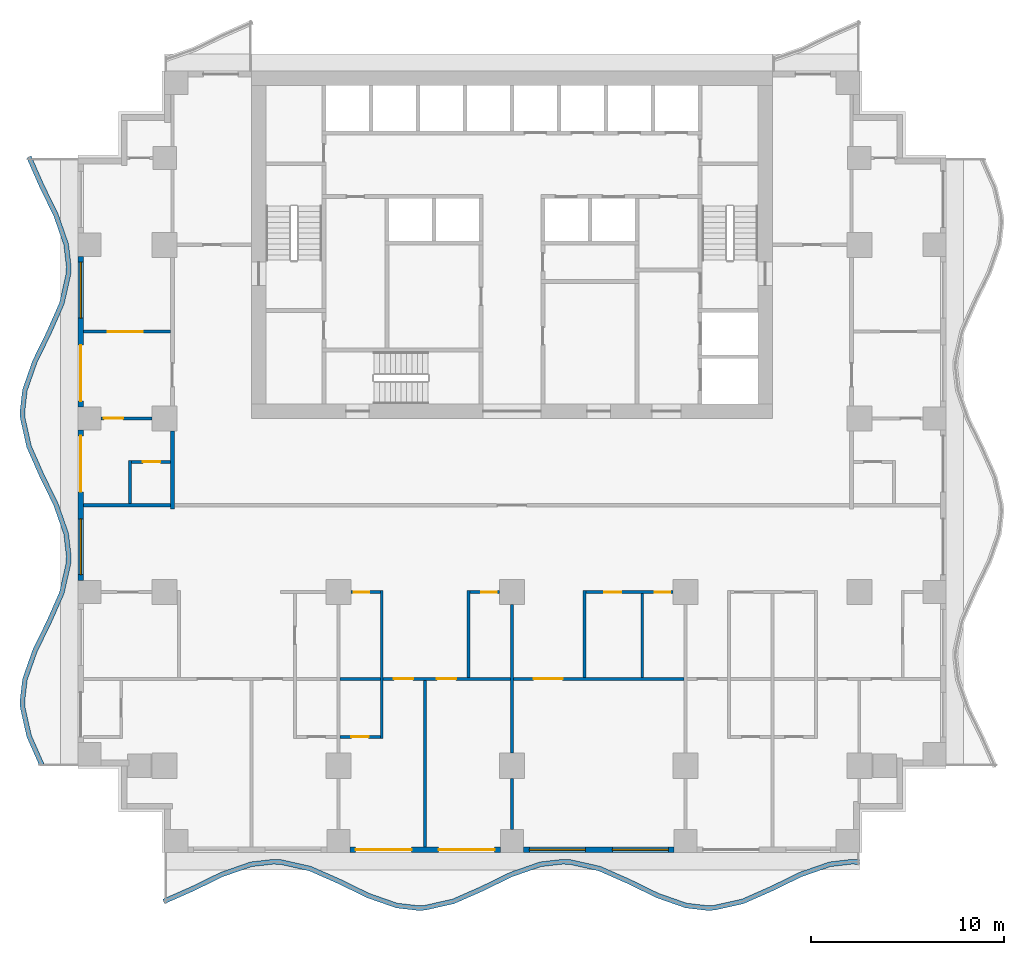
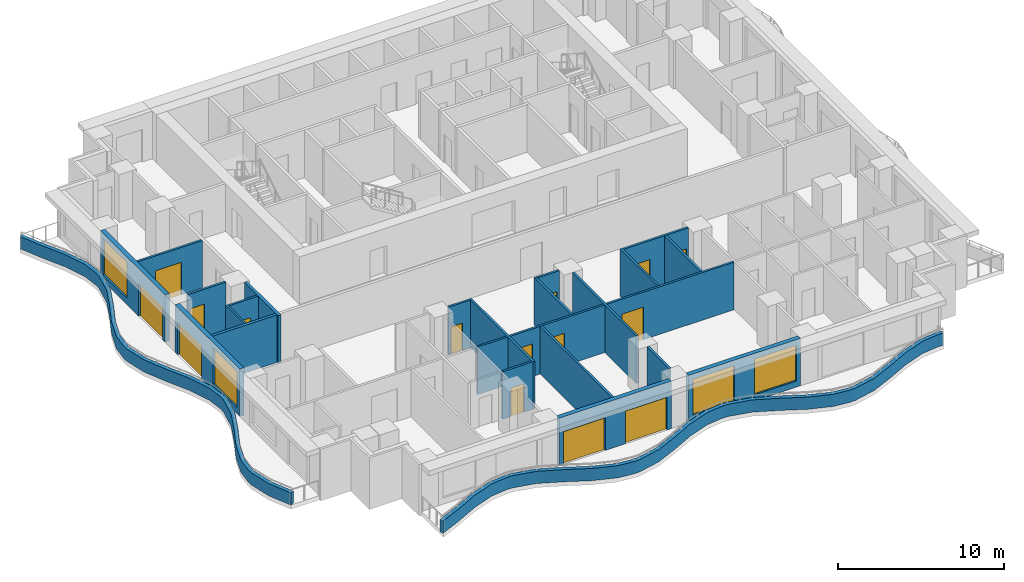
# One storey, part 2 of 10: 26 walls, 15 doors, 4 windows, 19 openings.
"""IFC4 building model written with IfcOpenShell, lengths in metres."""

from ifc_helpers import new_model, si_unit, direction, frame, frame_2d, origin, place, context, subcontext, project, spatial, polyline, rectangle, outline, extrude, material, layer, layer_set, type_object, element, fill, save


model = new_model("IFC4")

# Units and contexts
model_context = context("Model", 3, precision=1e-05, world=origin(), true_north=direction((0.0, 1.0)))
body_context = subcontext(model_context, "Body", "Model", "MODEL_VIEW")
ifc_project = project(units=[si_unit("LENGTHUNIT", "METRE"), si_unit("AREAUNIT", "SQUARE_METRE"), si_unit("VOLUMEUNIT", "CUBIC_METRE"), si_unit("PLANEANGLEUNIT", "RADIAN"), si_unit("MASSUNIT", "GRAM", prefix="KILO")], contexts=[model_context])

# Site, building, storey
site_placement = place(None, origin())
site = spatial("IfcSite", under=ifc_project, at=site_placement, CompositionType="ELEMENT")
building_placement = place(site_placement, origin())
building = spatial("IfcBuilding", under=site, at=building_placement, Name="Orbiselva Terraces", CompositionType="ELEMENT")
storey_placement = place(building_placement, frame((0.0, 0.0, 125.0)))
storey = spatial("IfcBuildingStorey", under=building, at=storey_placement, Name="L31", CompositionType="ELEMENT", Elevation=125.0)

# Walls
ifc_material_1 = material(Name="Concrete C40/50", Category="concrete")
ifc_layer_1 = layer(ifc_material_1, 0.25)
ifc_layer_set_1 = layer_set([ifc_layer_1], Name="Concrete C40/50")
wall_type_1 = type_object("IfcWallType", Name="ENV-PLANTER-250x900", PredefinedType="USERDEFINED", material=ifc_layer_set_1)
wall_1_placement = place(storey_placement, origin())
element("IfcWall", 1, at=wall_1_placement, inside=storey, type_object=wall_type_1, Name="Balcony planter L31 S", ObjectType="PLANTER", PredefinedType="USERDEFINED", context=body_context, shape_type="SweptSolid", body=[
    extrude(outline(polyline([(-18.0, -20.648528), (-16.5, -19.987721), (-15.0, -19.255211), (-13.5, -18.730792), (-12.375, -18.6), (-12.0, -18.614774), (-10.5, -18.951472), (-9.0, -19.612279), (-7.5, -20.344789), (-6.0, -20.869208), (-4.875, -21.0), (-4.5, -20.985226), (-3.0, -20.648528), (-1.5, -19.987721), (0.0, -19.255211), (1.5, -18.730792), (2.625, -18.6), (3.0, -18.614774), (4.5, -18.951472), (6.0, -19.612279), (7.5, -20.344789), (9.0, -20.869208), (10.125, -21.0), (10.5, -20.985226), (12.0, -20.648528), (13.5, -19.987721), (15.0, -19.255211), (16.5, -18.730792), (17.625, -18.6), (18.0, -18.614774), (18.009842, -18.364968), (17.615428, -18.349429), (16.443629, -18.485662), (14.90356, -19.024089), (13.394714, -19.760919), (11.921492, -20.40993), (10.467435, -20.736315), (10.134572, -20.749429), (9.056371, -20.624078), (7.59644, -20.113667), (6.105286, -19.385477), (4.578508, -18.712874), (3.032565, -18.365863), (2.615428, -18.349429), (1.443629, -18.485662), (-0.09644, -19.024089), (-1.605286, -19.760919), (-3.078508, -20.40993), (-4.532565, -20.736315), (-4.865428, -20.749429), (-5.943629, -20.624078), (-7.40356, -20.113667), (-8.894714, -19.385477), (-10.421492, -18.712874), (-11.967435, -18.365863), (-12.384572, -18.349429), (-13.556371, -18.485662), (-15.09644, -19.024089), (-16.605286, -19.760919), (-18.100788, -20.419745), (-18.0, -20.648528)])), origin(), (0.0, 0.0, 1.0), 0.9),
])
wall_2_placement = place(storey_placement, origin())
element("IfcWall", 2, at=wall_2_placement, inside=storey, type_object=wall_type_1, Name="Balcony planter L31 W", ObjectType="PLANTER", PredefinedType="USERDEFINED", context=body_context, shape_type="SweptSolid", body=[
    extrude(outline(polyline([(-25.148528, 18.0), (-24.487721, 16.5), (-23.755211, 15.0), (-23.230792, 13.5), (-23.1, 12.375), (-23.114774, 12.0), (-23.451472, 10.5), (-24.112279, 9.0), (-24.844789, 7.5), (-25.369208, 6.0), (-25.5, 4.875), (-25.485226, 4.5), (-25.148528, 3.0), (-24.487721, 1.5), (-23.755211, 0.0), (-23.230792, -1.5), (-23.1, -2.625), (-23.114774, -3.0), (-23.451472, -4.5), (-24.112279, -6.0), (-24.844789, -7.5), (-25.369208, -9.0), (-25.5, -10.125), (-25.485226, -10.5), (-25.148528, -12.0), (-24.487721, -13.5), (-24.258938, -13.399212), (-24.90993, -11.921492), (-25.236315, -10.467435), (-25.249429, -10.134572), (-25.124078, -9.056371), (-24.613667, -7.59644), (-23.885477, -6.105286), (-23.212874, -4.578508), (-22.865863, -3.032565), (-22.849429, -2.615428), (-22.985662, -1.443629), (-23.524089, 0.09644), (-24.260919, 1.605286), (-24.90993, 3.078508), (-25.236315, 4.532565), (-25.249429, 4.865428), (-25.124078, 5.943629), (-24.613667, 7.40356), (-23.885477, 8.894714), (-23.212874, 10.421492), (-22.865863, 11.967435), (-22.849429, 12.384572), (-22.985662, 13.556371), (-23.524089, 15.09644), (-24.260919, 16.605286), (-24.919745, 18.100788), (-25.148528, 18.0)])), origin(), (0.0, 0.0, 1.0), 0.9),
])

# Wall, openings, doors
ifc_material_2 = material(Name="Terracotta cladding on masonry backing", Category="masonry")
ifc_layer_2 = layer(ifc_material_2, 0.3)
ifc_layer_set_2 = layer_set([ifc_layer_2], Name="Terracotta cladding on masonry backing")
wall_type_2 = type_object("IfcWallType", Name="ENV-WALL-TERRACOTTA-300", PredefinedType="SOLIDWALL", material=ifc_layer_set_2)
wall_3_placement = place(storey_placement, frame((-0.6, -17.85, 0.0), z_axis=(0.0, 0.0, 1.0), x_axis=(-1.0, 0.0, 0.0)))
wall_3 = element("IfcWall", 3, at=wall_3_placement, inside=storey, type_object=wall_type_2, Name="Facade wall L31 S", PredefinedType="SOLIDWALL", context=body_context, shape_type="SweptSolid", body=[
    extrude(rectangle(XDim=7.8, YDim=0.3, at=frame_2d((3.9, 0.0))), origin(), (0.0, 0.0, 1.0), 3.5),
])
opening_1_placement = place(wall_3_placement, frame((4.6, 0.0, 0.0)))
opening_1 = element("IfcOpeningElement", 4, at=opening_1_placement, cuts=wall_3, Name="Opening Z3-A-E01", PredefinedType="OPENING", context=body_context, shape_type="SweptSolid", body=[
    extrude(rectangle(XDim=2.9, YDim=2.4, at=frame_2d((1.45, 1.2))), frame((0.0, 0.16, 0.0), z_axis=(0.0, -1.0, 0.0), x_axis=(1.0, 0.0, 0.0)), (0.0, 0.0, 1.0), 0.32),
])
opening_2_placement = place(wall_3_placement, frame((0.3, 0.0, 0.0)))
opening_2 = element("IfcOpeningElement", 5, at=opening_2_placement, cuts=wall_3, Name="Opening Z3-A-E02", PredefinedType="OPENING", context=body_context, shape_type="SweptSolid", body=[
    extrude(rectangle(XDim=2.9, YDim=2.4, at=frame_2d((1.45, 1.2))), frame((0.0, 0.16, 0.0), z_axis=(0.0, -1.0, 0.0), x_axis=(1.0, 0.0, 0.0)), (0.0, 0.0, 1.0), 0.32),
])
ifc_material_3 = material(Name="Clear low-e glazing in aluminium frame", Category="aluminium")
door_type_1 = type_object("IfcDoorType", Name="BALCONY DOOR 2900 X 2400", OperationType="DOUBLE_DOOR_SLIDING", PredefinedType="DOOR", material=ifc_material_3)
door_1_placement = place(opening_1_placement, origin())
door_1 = element("IfcDoor", 6, at=door_1_placement, inside=storey, type_object=door_type_1, Name="Z3-A-E01", OperationType="SINGLE_SWING_LEFT", OverallHeight=2.4, OverallWidth=2.9, PredefinedType="DOOR", context=body_context, shape_type="SweptSolid", body=[
    extrude(rectangle(XDim=2.9, YDim=2.4, at=frame_2d((1.45, 1.2))), frame((0.0, 0.025, 0.0), z_axis=(0.0, -1.0, 0.0), x_axis=(1.0, 0.0, 0.0)), (0.0, 0.0, 1.0), 0.05),
])
fill(opening_1, door_1)
door_2_placement = place(opening_2_placement, origin())
door_2 = element("IfcDoor", 7, at=door_2_placement, inside=storey, type_object=door_type_1, Name="Z3-A-E02", OperationType="SINGLE_SWING_LEFT", OverallHeight=2.4, OverallWidth=2.9, PredefinedType="DOOR", context=body_context, shape_type="SweptSolid", body=[
    extrude(rectangle(XDim=2.9, YDim=2.4, at=frame_2d((1.45, 1.2))), frame((0.0, 0.025, 0.0), z_axis=(0.0, -1.0, 0.0), x_axis=(1.0, 0.0, 0.0)), (0.0, 0.0, 1.0), 0.05),
])
fill(opening_2, door_2)

# Wall, openings, windows
wall_4_placement = place(storey_placement, frame((8.4, -17.85, 0.0), z_axis=(0.0, 0.0, 1.0), x_axis=(-1.0, 0.0, 0.0)))
wall_4 = element("IfcWall", 8, at=wall_4_placement, inside=storey, type_object=wall_type_2, Name="Facade wall L31 S", PredefinedType="SOLIDWALL", context=body_context, shape_type="SweptSolid", body=[
    extrude(rectangle(XDim=7.8, YDim=0.3, at=frame_2d((3.9, 0.0))), origin(), (0.0, 0.0, 1.0), 3.5),
])
opening_3_placement = place(wall_4_placement, frame((4.6, 0.0, 0.45)))
opening_3 = element("IfcOpeningElement", 9, at=opening_3_placement, cuts=wall_4, Name="Opening WN8", PredefinedType="OPENING", context=body_context, shape_type="SweptSolid", body=[
    extrude(rectangle(XDim=2.9, YDim=2.65, at=frame_2d((1.45, 1.325))), frame((0.0, 0.16, 0.0), z_axis=(0.0, -1.0, 0.0), x_axis=(1.0, 0.0, 0.0)), (0.0, 0.0, 1.0), 0.32),
])
opening_4_placement = place(wall_4_placement, frame((0.3, 0.0, 0.45)))
opening_4 = element("IfcOpeningElement", 10, at=opening_4_placement, cuts=wall_4, Name="Opening WN8", PredefinedType="OPENING", context=body_context, shape_type="SweptSolid", body=[
    extrude(rectangle(XDim=2.9, YDim=2.65, at=frame_2d((1.45, 1.325))), frame((0.0, 0.16, 0.0), z_axis=(0.0, -1.0, 0.0), x_axis=(1.0, 0.0, 0.0)), (0.0, 0.0, 1.0), 0.32),
])
window_type = type_object("IfcWindowType", Name="WINDOW 2900 X 2650 S450", PartitioningType="TRIPLE_PANEL_VERTICAL", PredefinedType="WINDOW", material=ifc_material_3)
window_1_placement = place(opening_3_placement, origin())
window_1 = element("IfcWindow", 11, at=window_1_placement, inside=storey, type_object=window_type, Name="Window L31 S", OverallHeight=2.65, OverallWidth=2.9, PartitioningType="SINGLE_PANEL", PredefinedType="WINDOW", context=body_context, shape_type="SweptSolid", body=[
    extrude(rectangle(XDim=2.9, YDim=2.65, at=frame_2d((1.45, 1.325))), frame((0.0, 0.03, 0.0), z_axis=(0.0, -1.0, 0.0), x_axis=(1.0, 0.0, 0.0)), (0.0, 0.0, 1.0), 0.06),
])
fill(opening_3, window_1)
window_2_placement = place(opening_4_placement, origin())
window_2 = element("IfcWindow", 12, at=window_2_placement, inside=storey, type_object=window_type, Name="Window L31 S", OverallHeight=2.65, OverallWidth=2.9, PartitioningType="SINGLE_PANEL", PredefinedType="WINDOW", context=body_context, shape_type="SweptSolid", body=[
    extrude(rectangle(XDim=2.9, YDim=2.65, at=frame_2d((1.45, 1.325))), frame((0.0, 0.03, 0.0), z_axis=(0.0, -1.0, 0.0), x_axis=(1.0, 0.0, 0.0)), (0.0, 0.0, 1.0), 0.06),
])
fill(opening_4, window_2)

# Wall, openings, door, window
wall_5_placement = place(storey_placement, frame((-22.35, 5.1, 0.0), z_axis=(0.0, 0.0, 1.0), x_axis=(0.0, 1.0, 0.0)))
wall_5 = element("IfcWall", 13, at=wall_5_placement, inside=storey, type_object=wall_type_2, Name="Facade wall L31 W", PredefinedType="SOLIDWALL", context=body_context, shape_type="SweptSolid", body=[
    extrude(rectangle(XDim=7.8, YDim=0.3, at=frame_2d((3.9, 0.0))), origin(), (0.0, 0.0, 1.0), 3.5),
])
opening_5_placement = place(wall_5_placement, frame((4.6, 0.0, 0.45)))
opening_5 = element("IfcOpeningElement", 14, at=opening_5_placement, cuts=wall_5, Name="Opening WN8", PredefinedType="OPENING", context=body_context, shape_type="SweptSolid", body=[
    extrude(rectangle(XDim=2.9, YDim=2.65, at=frame_2d((1.45, 1.325))), frame((0.0, 0.16, 0.0), z_axis=(0.0, -1.0, 0.0), x_axis=(1.0, 0.0, 0.0)), (0.0, 0.0, 1.0), 0.32),
])
opening_6_placement = place(wall_5_placement, frame((0.3, 0.0, 0.0)))
opening_6 = element("IfcOpeningElement", 15, at=opening_6_placement, cuts=wall_5, Name="Opening Z3-A-E09", PredefinedType="OPENING", context=body_context, shape_type="SweptSolid", body=[
    extrude(rectangle(XDim=2.9, YDim=2.4, at=frame_2d((1.45, 1.2))), frame((0.0, 0.16, 0.0), z_axis=(0.0, -1.0, 0.0), x_axis=(1.0, 0.0, 0.0)), (0.0, 0.0, 1.0), 0.32),
])
door_3_placement = place(opening_6_placement, origin())
door_3 = element("IfcDoor", 16, at=door_3_placement, inside=storey, type_object=door_type_1, Name="Z3-A-E09", OperationType="SINGLE_SWING_LEFT", OverallHeight=2.4, OverallWidth=2.9, PredefinedType="DOOR", context=body_context, shape_type="SweptSolid", body=[
    extrude(rectangle(XDim=2.9, YDim=2.4, at=frame_2d((1.45, 1.2))), frame((0.0, 0.025, 0.0), z_axis=(0.0, -1.0, 0.0), x_axis=(1.0, 0.0, 0.0)), (0.0, 0.0, 1.0), 0.05),
])
fill(opening_6, door_3)
window_3_placement = place(opening_5_placement, origin())
window_3 = element("IfcWindow", 17, at=window_3_placement, inside=storey, type_object=window_type, Name="Window L31 W", OverallHeight=2.65, OverallWidth=2.9, PartitioningType="SINGLE_PANEL", PredefinedType="WINDOW", context=body_context, shape_type="SweptSolid", body=[
    extrude(rectangle(XDim=2.9, YDim=2.65, at=frame_2d((1.45, 1.325))), frame((0.0, 0.03, 0.0), z_axis=(0.0, -1.0, 0.0), x_axis=(1.0, 0.0, 0.0)), (0.0, 0.0, 1.0), 0.06),
])
fill(opening_5, window_3)

wall_6_placement = place(storey_placement, frame((-22.35, -3.9, 0.0), z_axis=(0.0, 0.0, 1.0), x_axis=(0.0, 1.0, 0.0)))
wall_6 = element("IfcWall", 18, at=wall_6_placement, inside=storey, type_object=wall_type_2, Name="Facade wall L31 W", PredefinedType="SOLIDWALL", context=body_context, shape_type="SweptSolid", body=[
    extrude(rectangle(XDim=7.8, YDim=0.3, at=frame_2d((3.9, 0.0))), origin(), (0.0, 0.0, 1.0), 3.5),
])
opening_7_placement = place(wall_6_placement, frame((4.6, 0.0, 0.0)))
opening_7 = element("IfcOpeningElement", 19, at=opening_7_placement, cuts=wall_6, Name="Opening Z3-A-E10", PredefinedType="OPENING", context=body_context, shape_type="SweptSolid", body=[
    extrude(rectangle(XDim=2.9, YDim=2.4, at=frame_2d((1.45, 1.2))), frame((0.0, 0.16, 0.0), z_axis=(0.0, -1.0, 0.0), x_axis=(1.0, 0.0, 0.0)), (0.0, 0.0, 1.0), 0.32),
])
opening_8_placement = place(wall_6_placement, frame((0.3, 0.0, 0.45)))
opening_8 = element("IfcOpeningElement", 20, at=opening_8_placement, cuts=wall_6, Name="Opening WN8", PredefinedType="OPENING", context=body_context, shape_type="SweptSolid", body=[
    extrude(rectangle(XDim=2.9, YDim=2.65, at=frame_2d((1.45, 1.325))), frame((0.0, 0.16, 0.0), z_axis=(0.0, -1.0, 0.0), x_axis=(1.0, 0.0, 0.0)), (0.0, 0.0, 1.0), 0.32),
])
door_4_placement = place(opening_7_placement, origin())
door_4 = element("IfcDoor", 21, at=door_4_placement, inside=storey, type_object=door_type_1, Name="Z3-A-E10", OperationType="SINGLE_SWING_LEFT", OverallHeight=2.4, OverallWidth=2.9, PredefinedType="DOOR", context=body_context, shape_type="SweptSolid", body=[
    extrude(rectangle(XDim=2.9, YDim=2.4, at=frame_2d((1.45, 1.2))), frame((0.0, 0.025, 0.0), z_axis=(0.0, -1.0, 0.0), x_axis=(1.0, 0.0, 0.0)), (0.0, 0.0, 1.0), 0.05),
])
fill(opening_7, door_4)
window_4_placement = place(opening_8_placement, origin())
window_4 = element("IfcWindow", 22, at=window_4_placement, inside=storey, type_object=window_type, Name="Window L31 W", OverallHeight=2.65, OverallWidth=2.9, PartitioningType="SINGLE_PANEL", PredefinedType="WINDOW", context=body_context, shape_type="SweptSolid", body=[
    extrude(rectangle(XDim=2.9, YDim=2.65, at=frame_2d((1.45, 1.325))), frame((0.0, 0.03, 0.0), z_axis=(0.0, -1.0, 0.0), x_axis=(1.0, 0.0, 0.0)), (0.0, 0.0, 1.0), 0.06),
])
fill(opening_8, window_4)

# Wall
ifc_material_4 = material(Name="Plasterboard on steel stud partition", Category="steel")
ifc_layer_3 = layer(ifc_material_4, 0.2)
ifc_layer_set_3 = layer_set([ifc_layer_3], Name="Plasterboard on steel stud partition")
wall_type_3 = type_object("IfcWallType", Name="UNIT-ENTRANCE-WALL-200", PredefinedType="PARTITIONING", material=ifc_layer_set_3)
wall_7_placement = place(storey_placement, frame((-17.6, -0.2, 0.0), z_axis=(0.0, 0.0, 1.0), x_axis=(0.0, 1.0, 0.0)))
element("IfcWall", 23, at=wall_7_placement, inside=storey, type_object=wall_type_3, Name="PARTITION L31-037", PredefinedType="PARTITIONING", context=body_context, shape_type="SweptSolid", body=[
    extrude(rectangle(XDim=4.05, YDim=0.2, at=frame_2d((2.025, 0.0))), origin(), (0.0, 0.0, 1.0), 3.5),
])

# Wall, opening, door
ifc_layer_4 = layer(ifc_material_4, 0.15)
ifc_layer_set_4 = layer_set([ifc_layer_4], Name="Plasterboard on steel stud partition")
wall_type_4 = type_object("IfcWallType", Name="UNIT-PARTITION-150", PredefinedType="PARTITIONING", material=ifc_layer_set_4)
wall_8_placement = place(storey_placement, frame((-8.925, -12.0, 0.0), z_axis=(0.0, 0.0, 1.0), x_axis=(1.0, 0.0, 0.0)))
wall_8 = element("IfcWall", 24, at=wall_8_placement, inside=storey, type_object=wall_type_4, Name="PARTITION L31-003", PredefinedType="PARTITIONING", context=body_context, shape_type="SweptSolid", body=[
    extrude(rectangle(XDim=2.1, YDim=0.15, at=frame_2d((1.05, 0.0))), origin(), (0.0, 0.0, 1.0), 3.5),
])
opening_9_placement = place(wall_8_placement, frame((0.6, 0.0, 0.0)))
opening_9 = element("IfcOpeningElement", 25, at=opening_9_placement, cuts=wall_8, Name="Opening Z3-A-28", PredefinedType="OPENING", context=body_context, shape_type="SweptSolid", body=[
    extrude(rectangle(XDim=0.9, YDim=2.1, at=frame_2d((0.45, 1.05))), frame((0.0, 0.085, 0.0), z_axis=(0.0, -1.0, 0.0), x_axis=(1.0, 0.0, 0.0)), (0.0, 0.0, 1.0), 0.17),
])
ifc_material_5 = material(Name="Painted timber door leaf", Category="wood")
door_type_2 = type_object("IfcDoorType", Name="BATH DOOR 900", OperationType="NOTDEFINED", PredefinedType="DOOR", material=ifc_material_5)
door_5_placement = place(opening_9_placement, origin())
door_5 = element("IfcDoor", 26, at=door_5_placement, inside=storey, type_object=door_type_2, Name="Z3-A-28", OperationType="SINGLE_SWING_LEFT", OverallHeight=2.1, OverallWidth=0.9, PredefinedType="DOOR", context=body_context, shape_type="SweptSolid", body=[
    extrude(rectangle(XDim=0.9, YDim=2.1, at=frame_2d((0.45, 1.05))), frame((0.0, 0.025, 0.0), z_axis=(0.0, -1.0, 0.0), x_axis=(1.0, 0.0, 0.0)), (0.0, 0.0, 1.0), 0.05),
])
fill(opening_9, door_5)

# Wall
wall_9_placement = place(storey_placement, frame((-8.925, -9.0, 0.0), z_axis=(0.0, 0.0, 1.0), x_axis=(1.0, 0.0, 0.0)))
element("IfcWall", 27, at=wall_9_placement, inside=storey, type_object=wall_type_4, Name="PARTITION L31-008", PredefinedType="PARTITIONING", context=body_context, shape_type="SweptSolid", body=[
    extrude(rectangle(XDim=2.1, YDim=0.15, at=frame_2d((1.05, 0.0))), origin(), (0.0, 0.0, 1.0), 3.5),
])

# Wall, openings, doors
wall_10_placement = place(storey_placement, frame((-0.075, -9.0, 0.0), z_axis=(0.0, 0.0, 1.0), x_axis=(-1.0, 0.0, 0.0)))
wall_10 = element("IfcWall", 28, at=wall_10_placement, inside=storey, type_object=wall_type_4, Name="PARTITION L31-009", PredefinedType="PARTITIONING", context=body_context, shape_type="SweptSolid", body=[
    extrude(rectangle(XDim=6.6, YDim=0.15, at=frame_2d((3.3, 0.0))), origin(), (0.0, 0.0, 1.0), 3.5),
])
opening_10_placement = place(wall_10_placement, frame((5.05, 0.0, 0.0)))
opening_10 = element("IfcOpeningElement", 29, at=opening_10_placement, cuts=wall_10, Name="Opening Z3-A-27", PredefinedType="OPENING", context=body_context, shape_type="SweptSolid", body=[
    extrude(rectangle(XDim=1.0, YDim=2.4, at=frame_2d((0.5, 1.2))), frame((0.0, 0.085, 0.0), z_axis=(0.0, -1.0, 0.0), x_axis=(1.0, 0.0, 0.0)), (0.0, 0.0, 1.0), 0.17),
])
opening_11_placement = place(wall_10_placement, frame((2.825, 0.0, 0.0)))
opening_11 = element("IfcOpeningElement", 30, at=opening_11_placement, cuts=wall_10, Name="Opening Z3-A-29", PredefinedType="OPENING", context=body_context, shape_type="SweptSolid", body=[
    extrude(rectangle(XDim=1.0, YDim=2.4, at=frame_2d((0.5, 1.2))), frame((0.0, 0.085, 0.0), z_axis=(0.0, -1.0, 0.0), x_axis=(1.0, 0.0, 0.0)), (0.0, 0.0, 1.0), 0.17),
])
door_type_3 = type_object("IfcDoorType", Name="ROOM DOOR 1000", OperationType="NOTDEFINED", PredefinedType="DOOR", material=ifc_material_5)
door_6_placement = place(opening_10_placement, origin())
door_6 = element("IfcDoor", 31, at=door_6_placement, inside=storey, type_object=door_type_3, Name="Z3-A-27", OperationType="SINGLE_SWING_RIGHT", OverallHeight=2.4, OverallWidth=1.0, PredefinedType="DOOR", context=body_context, shape_type="SweptSolid", body=[
    extrude(rectangle(XDim=1.0, YDim=2.4, at=frame_2d((0.5, 1.2))), frame((0.0, 0.025, 0.0), z_axis=(0.0, -1.0, 0.0), x_axis=(1.0, 0.0, 0.0)), (0.0, 0.0, 1.0), 0.05),
])
fill(opening_10, door_6)
door_7_placement = place(opening_11_placement, origin())
door_7 = element("IfcDoor", 32, at=door_7_placement, inside=storey, type_object=door_type_3, Name="Z3-A-29", OperationType="SINGLE_SWING_RIGHT", OverallHeight=2.4, OverallWidth=1.0, PredefinedType="DOOR", context=body_context, shape_type="SweptSolid", body=[
    extrude(rectangle(XDim=1.0, YDim=2.4, at=frame_2d((0.5, 1.2))), frame((0.0, 0.025, 0.0), z_axis=(0.0, -1.0, 0.0), x_axis=(1.0, 0.0, 0.0)), (0.0, 0.0, 1.0), 0.05),
])
fill(opening_11, door_7)

# Wall, opening, door
wall_11_placement = place(storey_placement, frame((8.925, -9.0, 0.0), z_axis=(0.0, 0.0, 1.0), x_axis=(-1.0, 0.0, 0.0)))
wall_11 = element("IfcWall", 33, at=wall_11_placement, inside=storey, type_object=wall_type_4, Name="PARTITION L31-010", PredefinedType="PARTITIONING", context=body_context, shape_type="SweptSolid", body=[
    extrude(rectangle(XDim=8.85, YDim=0.15, at=frame_2d((4.425, 0.0))), origin(), (0.0, 0.0, 1.0), 3.5),
])
opening_12_placement = place(wall_11_placement, frame((6.3, 0.0, 0.0)))
opening_12 = element("IfcOpeningElement", 34, at=opening_12_placement, cuts=wall_11, Name="Opening Z3-A-30", PredefinedType="OPENING", context=body_context, shape_type="SweptSolid", body=[
    extrude(rectangle(XDim=1.5, YDim=2.4, at=frame_2d((0.75, 1.2))), frame((0.0, 0.085, 0.0), z_axis=(0.0, -1.0, 0.0), x_axis=(1.0, 0.0, 0.0)), (0.0, 0.0, 1.0), 0.17),
])
door_type_4 = type_object("IfcDoorType", Name="DOUBLE DOOR 1500", OperationType="NOTDEFINED", PredefinedType="DOOR", material=ifc_material_5)
door_8_placement = place(opening_12_placement, origin())
door_8 = element("IfcDoor", 35, at=door_8_placement, inside=storey, type_object=door_type_4, Name="Z3-A-30", OperationType="DOUBLE_DOOR_SINGLE_SWING", OverallHeight=2.4, OverallWidth=1.5, PredefinedType="DOOR", context=body_context, shape_type="SweptSolid", body=[
    extrude(rectangle(XDim=1.5, YDim=2.4, at=frame_2d((0.75, 1.2))), frame((0.0, 0.025, 0.0), z_axis=(0.0, -1.0, 0.0), x_axis=(1.0, 0.0, 0.0)), (0.0, 0.0, 1.0), 0.05),
])
fill(opening_12, door_8)

wall_12_placement = place(storey_placement, frame((-6.825, -4.5, 0.0), z_axis=(0.0, 0.0, 1.0), x_axis=(-1.0, 0.0, 0.0)))
wall_12 = element("IfcWall", 36, at=wall_12_placement, inside=storey, type_object=wall_type_4, Name="PARTITION L31-017", PredefinedType="PARTITIONING", context=body_context, shape_type="SweptSolid", body=[
    extrude(rectangle(XDim=1.525, YDim=0.15, at=frame_2d((0.7625, 0.0))), origin(), (0.0, 0.0, 1.0), 3.5),
])
opening_13_placement = place(wall_12_placement, frame((0.575, 0.0, 0.0)))
opening_13 = element("IfcOpeningElement", 37, at=opening_13_placement, cuts=wall_12, Name="Opening Z3-A-16", PredefinedType="OPENING", context=body_context, shape_type="SweptSolid", body=[
    extrude(rectangle(XDim=0.8, YDim=2.0, at=frame_2d((0.4, 1.0))), frame((0.0, 0.085, 0.0), z_axis=(0.0, -1.0, 0.0), x_axis=(1.0, 0.0, 0.0)), (0.0, 0.0, 1.0), 0.17),
])
door_type_5 = type_object("IfcDoorType", Name="STORE DOOR 800", OperationType="NOTDEFINED", PredefinedType="DOOR", material=ifc_material_5)
door_9_placement = place(opening_13_placement, origin())
door_9 = element("IfcDoor", 38, at=door_9_placement, inside=storey, type_object=door_type_5, Name="Z3-A-16", OperationType="SINGLE_SWING_RIGHT", OverallHeight=2.0, OverallWidth=0.8, PredefinedType="DOOR", context=body_context, shape_type="SweptSolid", body=[
    extrude(rectangle(XDim=0.8, YDim=2.0, at=frame_2d((0.4, 1.0))), frame((0.0, 0.025, 0.0), z_axis=(0.0, -1.0, 0.0), x_axis=(1.0, 0.0, 0.0)), (0.0, 0.0, 1.0), 0.05),
])
fill(opening_13, door_9)

wall_13_placement = place(storey_placement, frame((-0.65, -4.5, 0.0), z_axis=(0.0, 0.0, 1.0), x_axis=(-1.0, 0.0, 0.0)))
wall_13 = element("IfcWall", 39, at=wall_13_placement, inside=storey, type_object=wall_type_4, Name="PARTITION L31-018", PredefinedType="PARTITIONING", context=body_context, shape_type="SweptSolid", body=[
    extrude(rectangle(XDim=1.525, YDim=0.15, at=frame_2d((0.7625, 0.0))), origin(), (0.0, 0.0, 1.0), 3.5),
])
opening_14_placement = place(wall_13_placement, frame((0.15, 0.0, 0.0)))
opening_14 = element("IfcOpeningElement", 40, at=opening_14_placement, cuts=wall_13, Name="Opening Z3-A-17", PredefinedType="OPENING", context=body_context, shape_type="SweptSolid", body=[
    extrude(rectangle(XDim=0.8, YDim=2.0, at=frame_2d((0.4, 1.0))), frame((0.0, 0.085, 0.0), z_axis=(0.0, -1.0, 0.0), x_axis=(1.0, 0.0, 0.0)), (0.0, 0.0, 1.0), 0.17),
])
door_10_placement = place(opening_14_placement, origin())
door_10 = element("IfcDoor", 41, at=door_10_placement, inside=storey, type_object=door_type_5, Name="Z3-A-17", OperationType="SINGLE_SWING_LEFT", OverallHeight=2.0, OverallWidth=0.8, PredefinedType="DOOR", context=body_context, shape_type="SweptSolid", body=[
    extrude(rectangle(XDim=0.8, YDim=2.0, at=frame_2d((0.4, 1.0))), frame((0.0, 0.025, 0.0), z_axis=(0.0, -1.0, 0.0), x_axis=(1.0, 0.0, 0.0)), (0.0, 0.0, 1.0), 0.05),
])
fill(opening_14, door_10)

# Wall, openings, doors
wall_14_placement = place(storey_placement, frame((8.35, -4.5, 0.0), z_axis=(0.0, 0.0, 1.0), x_axis=(-1.0, 0.0, 0.0)))
wall_14 = element("IfcWall", 42, at=wall_14_placement, inside=storey, type_object=wall_type_4, Name="PARTITION L31-019", PredefinedType="PARTITIONING", context=body_context, shape_type="SweptSolid", body=[
    extrude(rectangle(XDim=4.525, YDim=0.15, at=frame_2d((2.2625, 0.0))), origin(), (0.0, 0.0, 1.0), 3.5),
])
opening_15_placement = place(wall_14_placement, frame((2.675, 0.0, 0.0)))
opening_15 = element("IfcOpeningElement", 43, at=opening_15_placement, cuts=wall_14, Name="Opening Z3-A-18", PredefinedType="OPENING", context=body_context, shape_type="SweptSolid", body=[
    extrude(rectangle(XDim=0.9, YDim=2.1, at=frame_2d((0.45, 1.05))), frame((0.0, 0.085, 0.0), z_axis=(0.0, -1.0, 0.0), x_axis=(1.0, 0.0, 0.0)), (0.0, 0.0, 1.0), 0.17),
])
opening_16_placement = place(wall_14_placement, frame((0.15, 0.0, 0.0)))
opening_16 = element("IfcOpeningElement", 44, at=opening_16_placement, cuts=wall_14, Name="Opening Z3-A-19", PredefinedType="OPENING", context=body_context, shape_type="SweptSolid", body=[
    extrude(rectangle(XDim=0.8, YDim=2.0, at=frame_2d((0.4, 1.0))), frame((0.0, 0.085, 0.0), z_axis=(0.0, -1.0, 0.0), x_axis=(1.0, 0.0, 0.0)), (0.0, 0.0, 1.0), 0.17),
])
door_type_6 = type_object("IfcDoorType", Name="SERVICE DOOR 900", OperationType="NOTDEFINED", PredefinedType="DOOR", material=ifc_material_5)
door_11_placement = place(opening_15_placement, origin())
door_11 = element("IfcDoor", 45, at=door_11_placement, inside=storey, type_object=door_type_6, Name="Z3-A-18", OperationType="SINGLE_SWING_RIGHT", OverallHeight=2.1, OverallWidth=0.9, PredefinedType="DOOR", context=body_context, shape_type="SweptSolid", body=[
    extrude(rectangle(XDim=0.9, YDim=2.1, at=frame_2d((0.45, 1.05))), frame((0.0, 0.025, 0.0), z_axis=(0.0, -1.0, 0.0), x_axis=(1.0, 0.0, 0.0)), (0.0, 0.0, 1.0), 0.05),
])
fill(opening_15, door_11)
door_12_placement = place(opening_16_placement, origin())
door_12 = element("IfcDoor", 46, at=door_12_placement, inside=storey, type_object=door_type_5, Name="Z3-A-19", OperationType="SINGLE_SWING_LEFT", OverallHeight=2.0, OverallWidth=0.8, PredefinedType="DOOR", context=body_context, shape_type="SweptSolid", body=[
    extrude(rectangle(XDim=0.8, YDim=2.0, at=frame_2d((0.4, 1.0))), frame((0.0, 0.025, 0.0), z_axis=(0.0, -1.0, 0.0), x_axis=(1.0, 0.0, 0.0)), (0.0, 0.0, 1.0), 0.05),
])
fill(opening_16, door_12)

# Wall, opening, door
wall_15_placement = place(storey_placement, frame((-17.7, 2.25, 0.0), z_axis=(0.0, 0.0, 1.0), x_axis=(-1.0, 0.0, 0.0)))
wall_15 = element("IfcWall", 47, at=wall_15_placement, inside=storey, type_object=wall_type_4, Name="PARTITION L31-025", PredefinedType="PARTITIONING", context=body_context, shape_type="SweptSolid", body=[
    extrude(rectangle(XDim=2.03, YDim=0.15, at=frame_2d((1.015, 0.0))), origin(), (0.0, 0.0, 1.0), 3.5),
])
opening_17_placement = place(wall_15_placement, frame((0.53, 0.0, 0.0)))
opening_17 = element("IfcOpeningElement", 48, at=opening_17_placement, cuts=wall_15, Name="Opening Z3-A-04", PredefinedType="OPENING", context=body_context, shape_type="SweptSolid", body=[
    extrude(rectangle(XDim=0.9, YDim=2.1, at=frame_2d((0.45, 1.05))), frame((0.0, 0.085, 0.0), z_axis=(0.0, -1.0, 0.0), x_axis=(1.0, 0.0, 0.0)), (0.0, 0.0, 1.0), 0.17),
])
door_13_placement = place(opening_17_placement, origin())
door_13 = element("IfcDoor", 49, at=door_13_placement, inside=storey, type_object=door_type_2, Name="Z3-A-04", OperationType="SINGLE_SWING_LEFT", OverallHeight=2.1, OverallWidth=0.9, PredefinedType="DOOR", context=body_context, shape_type="SweptSolid", body=[
    extrude(rectangle(XDim=0.9, YDim=2.1, at=frame_2d((0.45, 1.05))), frame((0.0, 0.025, 0.0), z_axis=(0.0, -1.0, 0.0), x_axis=(1.0, 0.0, 0.0)), (0.0, 0.0, 1.0), 0.05),
])
fill(opening_17, door_13)

wall_16_placement = place(storey_placement, frame((-18.65, 4.5, 0.0), z_axis=(0.0, 0.0, 1.0), x_axis=(-1.0, 0.0, 0.0)))
wall_16 = element("IfcWall", 50, at=wall_16_placement, inside=storey, type_object=wall_type_4, Name="PARTITION L31-027", PredefinedType="PARTITIONING", context=body_context, shape_type="SweptSolid", body=[
    extrude(rectangle(XDim=2.65, YDim=0.15, at=frame_2d((1.325, 0.0))), origin(), (0.0, 0.0, 1.0), 3.5),
])
opening_18_placement = place(wall_16_placement, frame((1.5, 0.0, 0.0)))
opening_18 = element("IfcOpeningElement", 51, at=opening_18_placement, cuts=wall_16, Name="Opening Z3-A-03", PredefinedType="OPENING", context=body_context, shape_type="SweptSolid", body=[
    extrude(rectangle(XDim=1.0, YDim=2.4, at=frame_2d((0.5, 1.2))), frame((0.0, 0.085, 0.0), z_axis=(0.0, -1.0, 0.0), x_axis=(1.0, 0.0, 0.0)), (0.0, 0.0, 1.0), 0.17),
])
door_14_placement = place(opening_18_placement, origin())
door_14 = element("IfcDoor", 52, at=door_14_placement, inside=storey, type_object=door_type_3, Name="Z3-A-03", OperationType="SINGLE_SWING_RIGHT", OverallHeight=2.4, OverallWidth=1.0, PredefinedType="DOOR", context=body_context, shape_type="SweptSolid", body=[
    extrude(rectangle(XDim=1.0, YDim=2.4, at=frame_2d((0.5, 1.2))), frame((0.0, 0.025, 0.0), z_axis=(0.0, -1.0, 0.0), x_axis=(1.0, 0.0, 0.0)), (0.0, 0.0, 1.0), 0.05),
])
fill(opening_18, door_14)

wall_17_placement = place(storey_placement, frame((-22.2, 9.0, 0.0), z_axis=(0.0, 0.0, 1.0), x_axis=(1.0, 0.0, 0.0)))
wall_17 = element("IfcWall", 53, at=wall_17_placement, inside=storey, type_object=wall_type_4, Name="PARTITION L31-029", PredefinedType="PARTITIONING", context=body_context, shape_type="SweptSolid", body=[
    extrude(rectangle(XDim=4.5, YDim=0.15, at=frame_2d((2.25, 0.0))), origin(), (0.0, 0.0, 1.0), 3.5),
])
opening_19_placement = place(wall_17_placement, frame((1.25, 0.0, 0.0)))
opening_19 = element("IfcOpeningElement", 54, at=opening_19_placement, cuts=wall_17, Name="Opening Z3-A-06", PredefinedType="OPENING", context=body_context, shape_type="SweptSolid", body=[
    extrude(rectangle(XDim=1.8, YDim=2.4, at=frame_2d((0.9, 1.2))), frame((0.0, 0.085, 0.0), z_axis=(0.0, -1.0, 0.0), x_axis=(1.0, 0.0, 0.0)), (0.0, 0.0, 1.0), 0.17),
])
door_type_7 = type_object("IfcDoorType", Name="DOUBLE DOOR 1800", OperationType="NOTDEFINED", PredefinedType="DOOR", material=ifc_material_5)
door_15_placement = place(opening_19_placement, origin())
door_15 = element("IfcDoor", 55, at=door_15_placement, inside=storey, type_object=door_type_7, Name="Z3-A-06", OperationType="DOUBLE_DOOR_SINGLE_SWING", OverallHeight=2.4, OverallWidth=1.8, PredefinedType="DOOR", context=body_context, shape_type="SweptSolid", body=[
    extrude(rectangle(XDim=1.8, YDim=2.4, at=frame_2d((0.9, 1.2))), frame((0.0, 0.025, 0.0), z_axis=(0.0, -1.0, 0.0), x_axis=(1.0, 0.0, 0.0)), (0.0, 0.0, 1.0), 0.05),
])
fill(opening_19, door_15)

# Walls
wall_18_placement = place(storey_placement, frame((-19.805, 0.1, 0.0), z_axis=(0.0, 0.0, 1.0), x_axis=(0.0, 1.0, 0.0)))
element("IfcWall", 56, at=wall_18_placement, inside=storey, type_object=wall_type_4, Name="PARTITION L31-036", PredefinedType="PARTITIONING", context=body_context, shape_type="SweptSolid", body=[
    extrude(rectangle(XDim=2.225, YDim=0.15, at=frame_2d((1.1125, 0.0))), origin(), (0.0, 0.0, 1.0), 3.5),
])
wall_19_placement = place(storey_placement, frame((-6.75, -12.075, 0.0), z_axis=(0.0, 0.0, 1.0), x_axis=(0.0, 1.0, 0.0)))
element("IfcWall", 57, at=wall_19_placement, inside=storey, type_object=wall_type_4, Name="PARTITION L31-046", PredefinedType="PARTITIONING", context=body_context, shape_type="SweptSolid", body=[
    extrude(rectangle(XDim=7.65, YDim=0.15, at=frame_2d((3.825, 0.0))), origin(), (0.0, 0.0, 1.0), 3.5),
])
wall_20_placement = place(storey_placement, frame((-4.5, -17.7, 0.0), z_axis=(0.0, 0.0, 1.0), x_axis=(0.0, 1.0, 0.0)))
element("IfcWall", 58, at=wall_20_placement, inside=storey, type_object=wall_type_4, Name="PARTITION L31-047", PredefinedType="PARTITIONING", context=body_context, shape_type="SweptSolid", body=[
    extrude(rectangle(XDim=8.625, YDim=0.15, at=frame_2d((4.3125, 0.0))), origin(), (0.0, 0.0, 1.0), 3.5),
])
wall_21_placement = place(storey_placement, frame((-2.25, -8.925, 0.0), z_axis=(0.0, 0.0, 1.0), x_axis=(0.0, 1.0, 0.0)))
element("IfcWall", 59, at=wall_21_placement, inside=storey, type_object=wall_type_4, Name="PARTITION L31-048", PredefinedType="PARTITIONING", context=body_context, shape_type="SweptSolid", body=[
    extrude(rectangle(XDim=4.5, YDim=0.15, at=frame_2d((2.25, 0.0))), origin(), (0.0, 0.0, 1.0), 3.5),
])
wall_22_placement = place(storey_placement, frame((0.0, -16.8, 0.0), z_axis=(0.0, 0.0, 1.0), x_axis=(0.0, 1.0, 0.0)))
element("IfcWall", 60, at=wall_22_placement, inside=storey, type_object=wall_type_4, Name="PARTITION L31-049", PredefinedType="PARTITIONING", context=body_context, shape_type="SweptSolid", body=[
    extrude(rectangle(XDim=2.65, YDim=0.15, at=frame_2d((1.325, 0.0))), origin(), (0.0, 0.0, 1.0), 3.5),
])
wall_23_placement = place(storey_placement, frame((0.0, -12.85, 0.0), z_axis=(0.0, 0.0, 1.0), x_axis=(0.0, 1.0, 0.0)))
element("IfcWall", 61, at=wall_23_placement, inside=storey, type_object=wall_type_4, Name="PARTITION L31-050", PredefinedType="PARTITIONING", context=body_context, shape_type="SweptSolid", body=[
    extrude(rectangle(XDim=7.7, YDim=0.15, at=frame_2d((3.85, 0.0))), origin(), (0.0, 0.0, 1.0), 3.5),
])
wall_24_placement = place(storey_placement, frame((3.75, -8.925, 0.0), z_axis=(0.0, 0.0, 1.0), x_axis=(0.0, 1.0, 0.0)))
element("IfcWall", 62, at=wall_24_placement, inside=storey, type_object=wall_type_4, Name="PARTITION L31-051", PredefinedType="PARTITIONING", context=body_context, shape_type="SweptSolid", body=[
    extrude(rectangle(XDim=4.5, YDim=0.15, at=frame_2d((2.25, 0.0))), origin(), (0.0, 0.0, 1.0), 3.5),
])
wall_25_placement = place(storey_placement, frame((6.75, -8.925, 0.0), z_axis=(0.0, 0.0, 1.0), x_axis=(0.0, 1.0, 0.0)))
element("IfcWall", 63, at=wall_25_placement, inside=storey, type_object=wall_type_4, Name="PARTITION L31-052", PredefinedType="PARTITIONING", context=body_context, shape_type="SweptSolid", body=[
    extrude(rectangle(XDim=4.35, YDim=0.15, at=frame_2d((2.175, 0.0))), origin(), (0.0, 0.0, 1.0), 3.5),
])
ifc_layer_5 = layer(ifc_material_4, 0.2)
ifc_layer_set_5 = layer_set([ifc_layer_5], Name="Plasterboard on steel stud partition")
wall_type_5 = type_object("IfcWallType", Name="UNIT-PARTY-WALL-200", PredefinedType="PARTITIONING", material=ifc_layer_set_5)
wall_26_placement = place(storey_placement, frame((-22.2, 0.0, 0.0), z_axis=(0.0, 0.0, 1.0), x_axis=(1.0, 0.0, 0.0)))
element("IfcWall", 64, at=wall_26_placement, inside=storey, type_object=wall_type_5, Name="PARTITION L31-023", PredefinedType="PARTITIONING", context=body_context, shape_type="SweptSolid", body=[
    extrude(rectangle(XDim=4.5, YDim=0.2, at=frame_2d((2.25, 0.0))), origin(), (0.0, 0.0, 1.0), 3.5),
])

save(model, "model.ifc")
